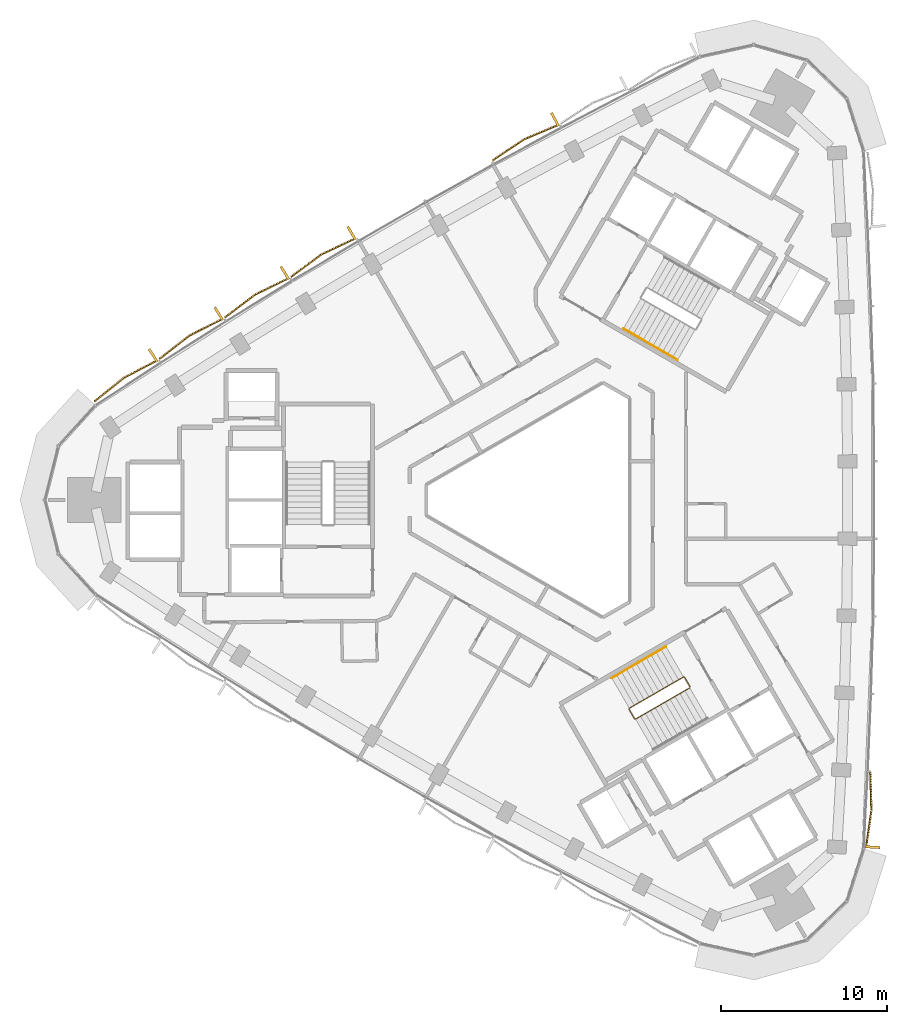
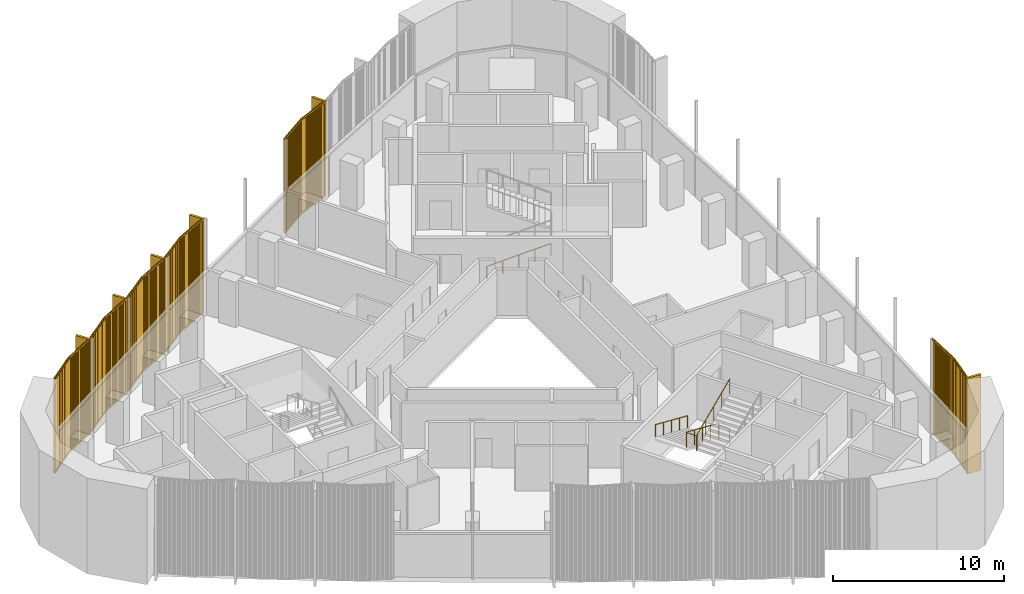
# One storey, part 13 of 14: 6 coverings, 3 railings.
"""IFC4 building model written with IfcOpenShell, lengths in metres."""

import ifcopenshell
import ifcopenshell.guid

model = None  # the IFC model being written
_history = None  # IfcOwnerHistory: only IFC2X3 demands one
_inside = {}  # id of a spatial element -> (the spatial element, [elements in it])
_under = {}  # id of a project, library or spatial element -> (it, [spatial elements below it])
_declared = {}  # id of a project -> (the project, [libraries it declares])
_typed = {}  # id of a type object -> (the type object, [elements of that type])
_made_of = {}  # id of a material, layer set ... -> (it, [elements and type objects made of it])


def new_model(schema):
    """Start an empty IFC model of exactly this schema.

    Asked for "IFC4X3", IfcOpenShell would pick the latest addendum, in which some entities
    have other attributes; the version numbers below select the first issue.
    IFC2X3 requires an IfcOwnerHistory on every rooted entity: one is made here for all.
    """
    global model, _history
    if schema == "IFC4X3":
        model = ifcopenshell.file(schema_version=(4, 3, 0, 0))
    else:
        model = ifcopenshell.file(schema=schema)
    _inside.clear()
    _under.clear()
    _declared.clear()
    _typed.clear()
    _made_of.clear()
    _history = None
    if model.schema == "IFC2X3":
        org = make("IfcOrganization", Name="unknown")
        user = make(
            "IfcPersonAndOrganization",
            ThePerson=make("IfcPerson", FamilyName="unknown"),
            TheOrganization=org,
        )
        app = make(
            "IfcApplication",
            ApplicationDeveloper=org,
            Version="unknown",
            ApplicationFullName="unknown",
            ApplicationIdentifier="unknown",
        )
        _history = make(
            "IfcOwnerHistory",
            OwningUser=user,
            OwningApplication=app,
            ChangeAction="ADDED",
            CreationDate=0,
        )
    return model


def make(cls, **values):
    """One entity of the class cls with the attributes given. An attribute that is None is left unset."""
    return model.create_entity(
        cls, **{name: value for name, value in values.items() if value is not None}
    )


def rooted(cls, **values):
    """An entity with a GlobalId (a new one), such as an element, a storey or a relation."""
    return make(cls, GlobalId=ifcopenshell.guid.new(), OwnerHistory=_history, **values)


def si_unit(unit_type, name, prefix=None):
    """IfcSIUnit, for example si_unit("LENGTHUNIT", "METRE", prefix="MILLI")."""
    return make("IfcSIUnit", UnitType=unit_type, Prefix=prefix, Name=name)


def assignment(units):
    """IfcUnitAssignment: the units of a project."""
    return None if units is None else make("IfcUnitAssignment", Units=units)


def point(xyz):
    """IfcCartesianPoint."""
    return None if xyz is None else make("IfcCartesianPoint", Coordinates=xyz)


def direction(xyz):
    """IfcDirection."""
    return None if xyz is None else make("IfcDirection", DirectionRatios=xyz)


def frame(location, z_axis=None, x_axis=None):
    """IfcAxis2Placement3D, a coordinate frame: its origin and axes. An axis left out is left unset."""
    return make(
        "IfcAxis2Placement3D",
        Location=point(location),
        Axis=direction(z_axis),
        RefDirection=direction(x_axis),
    )


def frame_2d(location, x_axis=None):
    """IfcAxis2Placement2D, a coordinate frame in the plane: its origin and x axis."""
    return make(
        "IfcAxis2Placement2D", Location=point(location), RefDirection=direction(x_axis)
    )


def origin():
    """The frame at (0, 0, 0) with its axes left unset."""
    return frame((0.0, 0.0, 0.0))


def origin_2d():
    """The frame at (0, 0) in the plane with its x axis left unset."""
    return frame_2d((0.0, 0.0))


def place(relative_to, where):
    """IfcLocalPlacement: puts the frame where relative to a parent placement (None: the world)."""
    return make(
        "IfcLocalPlacement", PlacementRelTo=relative_to, RelativePlacement=where
    )


def context(
    kind, dimensions, precision=None, world=None, true_north=None, identifier=None
):
    """IfcGeometricRepresentationContext, for example the 3D "Model" context."""
    return make(
        "IfcGeometricRepresentationContext",
        ContextIdentifier=identifier,
        ContextType=kind,
        CoordinateSpaceDimension=dimensions,
        Precision=precision,
        WorldCoordinateSystem=world,
        TrueNorth=true_north,
    )


def subcontext(parent, identifier, kind, view, scale=None):
    """IfcGeometricRepresentationSubContext, for example "Body" below "Model"."""
    return make(
        "IfcGeometricRepresentationSubContext",
        ContextIdentifier=identifier,
        ContextType=kind,
        ParentContext=parent,
        TargetScale=scale,
        TargetView=view,
    )


def project(units=None, contexts=None):
    """IfcProject with its units and contexts."""
    return rooted(
        "IfcProject",
        Name="project",
        RepresentationContexts=contexts,
        UnitsInContext=assignment(units),
    )


def spatial(cls, under=None, at=None, **own):
    """A site, building, storey or space (cls), placed at a placement, below another one or the project."""
    s = rooted(cls, ObjectPlacement=at, **own)
    if under is not None:
        _under.setdefault(under.id(), (under, []))[1].append(s)
    return s


def profile(cls, at=None, kind="AREA", **sizes):
    """A parametric profile (cls). Its sizes go by their IFC names, for example OverallWidth=200.0."""
    return make(cls, ProfileType=kind, Position=at, **sizes)


def rectangle(**sizes):
    """IfcRectangleProfileDef."""
    return profile("IfcRectangleProfileDef", **sizes)


def circle(**sizes):
    """IfcCircleProfileDef."""
    return profile("IfcCircleProfileDef", **sizes)


def extrude(swept, where, along, depth):
    """IfcExtrudedAreaSolid: the profile swept, set in the frame where, extruded along a direction by depth."""
    return make(
        "IfcExtrudedAreaSolid",
        SweptArea=swept,
        Position=where,
        ExtrudedDirection=direction(along),
        Depth=depth,
    )


def shape(context_of_items, identifier, shape_type, items):
    """IfcShapeRepresentation: the items that make up one representation, for example the "Body"."""
    return make(
        "IfcShapeRepresentation",
        ContextOfItems=context_of_items,
        RepresentationIdentifier=identifier,
        RepresentationType=shape_type,
        Items=items,
    )


def source(mapping_origin, context_of_items, identifier, shape_type, items):
    """IfcRepresentationMap: a shape defined once, which mapped items show again and again."""
    return make(
        "IfcRepresentationMap",
        MappingOrigin=mapping_origin,
        MappedRepresentation=shape(context_of_items, identifier, shape_type, items),
    )


def transform(
    local_origin,
    x_axis=None,
    y_axis=None,
    z_axis=None,
    scale=None,
    scale2=None,
    scale3=None,
    uniform=True,
):
    """IfcCartesianTransformationOperator3D, or its non-uniform kind. x_axis, y_axis, z_axis: its Axis1, 2, 3."""
    if uniform:
        return make(
            "IfcCartesianTransformationOperator3D",
            Axis1=direction(x_axis),
            Axis2=direction(y_axis),
            LocalOrigin=point(local_origin),
            Scale=scale,
            Axis3=direction(z_axis),
        )
    return make(
        "IfcCartesianTransformationOperator3DnonUniform",
        Axis1=direction(x_axis),
        Axis2=direction(y_axis),
        LocalOrigin=point(local_origin),
        Scale=scale,
        Axis3=direction(z_axis),
        Scale2=scale2,
        Scale3=scale3,
    )


def mapped(mapping_source, mapping_target):
    """IfcMappedItem: shows the shape of a source again, moved by a transform."""
    return make(
        "IfcMappedItem", MappingSource=mapping_source, MappingTarget=mapping_target
    )


def material(Name=None, Category=None):
    """IfcMaterial."""
    return make("IfcMaterial", Name=Name, Category=Category)


def made_of(thing, what):
    """Note that an element or type object is made of a material, layer set ...; save() writes the relation."""
    if what is not None:
        _made_of.setdefault(what.id(), (what, []))[1].append(thing)
    return thing


def type_object(cls, material=None, **own):
    """A type object (cls), such as IfcWallType, which elements share."""
    return made_of(rooted(cls, **own), material)


def element(
    cls,
    number,
    at=None,
    inside=None,
    cuts=None,
    type_object=None,
    material=None,
    context=None,
    identifier="Body",
    shape_type=None,
    held_by="IfcProductDefinitionShape",
    body=None,
    shapes=None,
    **own,
):
    """One element of the class cls, such as IfcWall. Its Tag is "e" and its number.

    at: its placement. inside: the storey or other place that contains it. cuts: it is an
    opening in that element (IfcRelVoidsElement). A single representation is given by context,
    identifier, shape_type and body (its items); several are given by shapes. held_by: the class
    of the entity that holds the representations. save() writes the other relations.
    """
    e = rooted(cls, Tag="e%d" % number, ObjectPlacement=at, **own)
    if body is not None:
        shapes = [shape(context, identifier, shape_type, body)]
    if shapes is not None:
        e.Representation = make(held_by, Representations=shapes)
    if inside is not None:
        _inside.setdefault(inside.id(), (inside, []))[1].append(e)
    if cuts is not None:
        rooted(
            "IfcRelVoidsElement", RelatingBuildingElement=cuts, RelatedOpeningElement=e
        )
    if type_object is not None:
        _typed.setdefault(type_object.id(), (type_object, []))[1].append(e)
    return made_of(e, material)


def aggregate(whole, parts):
    """IfcRelAggregates: a whole, such as a stair, and the parts it consists of."""
    return rooted("IfcRelAggregates", RelatingObject=whole, RelatedObjects=parts)


def save(model, path):
    """Write the relations noted so far, then the file.

    IfcRelAggregates (storeys below a building ...), IfcRelContainedInSpatialStructure (elements
    in a storey), IfcRelDefinesByType, IfcRelAssociatesMaterial and IfcRelDeclares: one each for
    every whole, place, type object, material and project.
    """
    for whole, parts in _under.values():
        aggregate(whole, parts)
    for where, things in _inside.values():
        rooted(
            "IfcRelContainedInSpatialStructure",
            RelatedElements=things,
            RelatingStructure=where,
        )
    for kind, things in _typed.values():
        rooted("IfcRelDefinesByType", RelatedObjects=things, RelatingType=kind)
    for what, things in _made_of.values():
        rooted("IfcRelAssociatesMaterial", RelatedObjects=things, RelatingMaterial=what)
    for by, libraries in _declared.values():
        rooted("IfcRelDeclares", RelatingContext=by, RelatedDefinitions=libraries)
    model.write(path)


model = new_model("IFC4")

# Units and contexts
model_context = context("Model", 3, precision=1e-05, world=origin(), true_north=direction((0.0, 1.0)))
body_context = subcontext(model_context, "Body", "Model", "MODEL_VIEW")
ifc_project = project(units=[si_unit("LENGTHUNIT", "METRE"), si_unit("AREAUNIT", "SQUARE_METRE"), si_unit("VOLUMEUNIT", "CUBIC_METRE"), si_unit("PLANEANGLEUNIT", "RADIAN"), si_unit("MASSUNIT", "GRAM", prefix="KILO")], contexts=[model_context])

# Site, building, storey
site_placement = place(None, origin())
site = spatial("IfcSite", under=ifc_project, at=site_placement, CompositionType="ELEMENT")
building_placement = place(site_placement, origin())
building = spatial("IfcBuilding", under=site, at=building_placement, Name="Tamra Quay Hotel Tower", CompositionType="ELEMENT")
storey_placement = place(building_placement, frame((0.0, 0.0, 175.60009765625)))
storey = spatial("IfcBuildingStorey", under=building, at=storey_placement, Name="L43", CompositionType="ELEMENT", Elevation=175.60009765625)

# Railings
ifc_material_1 = material(Name="Stair guard 1100")
railing_type_1 = type_object("IfcRailingType", Name="Stair guard 1100", PredefinedType="GUARDRAIL", material=ifc_material_1)
railing_1_placement = place(storey_placement, frame((8.245849609375, -11.221923828125, 0.0)))
element("IfcRailing", 1, at=railing_1_placement, inside=storey, type_object=railing_type_1, Name="GR", PredefinedType="GUARDRAIL", context=body_context, shape_type="SweptSolid", body=[
    extrude(circle(Radius=0.02392578125, at=origin_2d()), frame((0.0, 0.0, 1.076171875), z_axis=(-0.500043078269, 0.866000531106, 0.0), x_axis=(-0.866000531106, -0.500043078269, 0.0)), (0.0, 0.0, 1.0), 0.6591796875),
    extrude(circle(Radius=0.02392578125, at=origin_2d()), frame((-0.32958984375, 0.57080078125, 1.076171875), z_axis=(-0.41238007866, 0.110458949641, 0.904290601062), x_axis=(-0.258736085224, -0.965948051503, 0.0)), (0.0, 0.0, 1.0), 0.165771484375),
    extrude(circle(Radius=0.02392578125, at=origin_2d()), frame((-0.39794921875, 0.589111328125, 1.22607421875), z_axis=(-0.793100512587, -0.457912285461, 0.401631567183), x_axis=(0.500012686397, -0.866018079166, 0.0)), (0.0, 0.0, 1.0), 4.10791015625),
    extrude(circle(Radius=0.02392578125, at=origin_2d()), frame((-3.656005859375, -1.2919921875, 2.8759765625), z_axis=(-0.256368644879, -0.966579080015, 0.0), x_axis=(0.966579080015, -0.256368644879, 0.0)), (0.0, 0.0, 1.0), 0.070556640625),
    extrude(circle(Radius=0.02392578125, at=origin_2d()), frame((-3.674072265625, -1.360107421875, 2.8759765625), z_axis=(0.499765215335, -0.866160914346, 0.0), x_axis=(0.866160914346, 0.499765215335, 0.0)), (0.0, 0.0, 1.0), 0.658935546875),
    extrude(circle(Radius=0.02392578125, at=origin_2d()), frame((-3.3447265625, -1.930908203125, 2.8759765625), z_axis=(0.411831509231, -0.110312011401, 0.90455849349), x_axis=(0.258736085224, 0.965948051503, 0.0)), (0.0, 0.0, 1.0), 0.166015625),
    extrude(circle(Radius=0.02392578125, at=origin_2d()), frame((-3.2763671875, -1.94921875, 3.02587890625), z_axis=(0.793100512587, 0.457912285461, 0.401631567183), x_axis=(-0.500012686397, 0.866018079166, 0.0)), (0.0, 0.0, 1.0), 4.10791015625),
    extrude(circle(Radius=0.02099609375, at=origin_2d()), origin(), (0.0, 0.0, 1.0), 1.052001953125),
    extrude(circle(Radius=0.02099609375, at=origin_2d()), frame((-0.32958984375, 0.57080078125, 0.0)), (0.0, 0.0, 1.0), 1.052001953125),
    extrude(circle(Radius=0.02099609375, at=origin_2d()), frame((-0.39794921875, 0.589111328125, 0.14990234375)), (0.0, 0.0, 1.0), 1.052001953125),
    extrude(circle(Radius=0.02099609375, at=origin_2d()), frame((-1.21240234375, 0.118896484375, 0.5625)), (0.0, 0.0, 1.0), 1.052001953125),
    extrude(circle(Radius=0.02099609375, at=origin_2d()), frame((-2.02685546875, -0.3515625, 0.974853515625)), (0.0, 0.0, 1.0), 1.052001953125),
    extrude(circle(Radius=0.02099609375, at=origin_2d()), frame((-2.841552734375, -0.82177734375, 1.38720703125)), (0.0, 0.0, 1.0), 1.052001953125),
    extrude(circle(Radius=0.02099609375, at=origin_2d()), frame((-3.656005859375, -1.2919921875, 1.7998046875)), (0.0, 0.0, 1.0), 1.052001953125),
    extrude(circle(Radius=0.02099609375, at=origin_2d()), frame((-3.674072265625, -1.360107421875, 1.7998046875)), (0.0, 0.0, 1.0), 1.052001953125),
    extrude(circle(Radius=0.02099609375, at=origin_2d()), frame((-3.3447265625, -1.930908203125, 1.7998046875)), (0.0, 0.0, 1.0), 1.052001953125),
    extrude(circle(Radius=0.02099609375, at=origin_2d()), frame((-3.2763671875, -1.94921875, 1.949951171875)), (0.0, 0.0, 1.0), 1.052001953125),
    extrude(circle(Radius=0.02099609375, at=origin_2d()), frame((-2.4619140625, -1.47900390625, 2.3623046875)), (0.0, 0.0, 1.0), 1.052001953125),
    extrude(circle(Radius=0.02099609375, at=origin_2d()), frame((-1.6474609375, -1.0087890625, 2.77490234375)), (0.0, 0.0, 1.0), 1.052001953125),
    extrude(circle(Radius=0.02099609375, at=origin_2d()), frame((-0.832763671875, -0.538330078125, 3.1875)), (0.0, 0.0, 1.0), 1.052001953125),
    extrude(circle(Radius=0.02099609375, at=origin_2d()), frame((-0.018310546875, -0.068115234375, 3.599853515625)), (0.0, 0.0, 1.0), 1.052001953125),
])
ifc_material_2 = material(Name="Stair handrail 900")
railing_type_2 = type_object("IfcRailingType", Name="Stair handrail 900", PredefinedType="HANDRAIL", material=ifc_material_2)
railing_2_placement = place(storey_placement, frame((4.234375, 10.294189453125, 0.14990234375)))
element("IfcRailing", 2, at=railing_2_placement, inside=storey, type_object=railing_type_2, Name="HR", PredefinedType="HANDRAIL", context=body_context, shape_type="SweptSolid", body=[
    extrude(circle(Radius=0.02392578125, at=origin_2d()), frame((0.0, 0.0, 0.8759765625), z_axis=(0.793122095483, -0.45786531462, 0.401642496911), x_axis=(0.499964013922, 0.86604617936, 0.0)), (0.0, 0.0, 1.0), 4.10791015625),
    extrude(circle(Radius=0.02099609375, at=origin_2d()), origin(), (0.0, 0.0, 1.0), 0.851806640625),
    extrude(circle(Radius=0.02099609375, at=origin_2d()), frame((0.814453125, -0.47021484375, 0.41259765625)), (0.0, 0.0, 1.0), 0.851806640625),
    extrude(circle(Radius=0.02099609375, at=origin_2d()), frame((1.62890625, -0.9404296875, 0.824951171875)), (0.0, 0.0, 1.0), 0.851806640625),
    extrude(circle(Radius=0.02099609375, at=origin_2d()), frame((2.443603515625, -1.41064453125, 1.2373046875)), (0.0, 0.0, 1.0), 0.851806640625),
    extrude(circle(Radius=0.02099609375, at=origin_2d()), frame((3.258056640625, -1.880859375, 1.64990234375)), (0.0, 0.0, 1.0), 0.851806640625),
])
railing_3_placement = place(storey_placement, frame((6.7978515625, -8.814208984375, 0.14990234375)))
element("IfcRailing", 3, at=railing_3_placement, inside=storey, type_object=railing_type_2, Name="HR", PredefinedType="HANDRAIL", context=body_context, shape_type="SweptSolid", body=[
    extrude(circle(Radius=0.02392578125, at=origin_2d()), frame((0.0, 0.0, 0.8759765625), z_axis=(-0.79310004713, -0.457886897714, 0.401661429744), x_axis=(0.499992114976, -0.866029956157, 0.0)), (0.0, 0.0, 1.0), 4.107666015625),
    extrude(circle(Radius=0.02099609375, at=origin_2d()), origin(), (0.0, 0.0, 1.0), 0.851806640625),
    extrude(circle(Radius=0.02099609375, at=origin_2d()), frame((-0.814453125, -0.47021484375, 0.41259765625)), (0.0, 0.0, 1.0), 0.851806640625),
    extrude(circle(Radius=0.02099609375, at=origin_2d()), frame((-1.62890625, -0.9404296875, 0.824951171875)), (0.0, 0.0, 1.0), 0.851806640625),
    extrude(circle(Radius=0.02099609375, at=origin_2d()), frame((-2.443359375, -1.41064453125, 1.2373046875)), (0.0, 0.0, 1.0), 0.851806640625),
    extrude(circle(Radius=0.02099609375, at=origin_2d()), frame((-3.2578125, -1.880859375, 1.64990234375)), (0.0, 0.0, 1.0), 0.851806640625),
])

# Coverings
ifc_material_3 = material(Name="Terracotta baguette extruded", Category="masonry")
covering_type_1 = type_object("IfcCoveringType", Name="BAGUETTE SCREEN E-V H6850", PredefinedType="USERDEFINED", material=ifc_material_3)
shared_shape_1 = source(origin(), body_context, "Body", "SweptSolid", [
    extrude(rectangle(XDim=2.291259765625, YDim=0.06005859375, at=frame_2d((1.1455078125, 0.030029296875))), frame((-2.287841796875, -0.057861328125, -0.1201171875), z_axis=(0.0, 0.0, 1.0), x_axis=(0.996194698092, -0.087155742748, 0.0)), (0.0, 0.0, 1.0), 0.1201171875),
    extrude(rectangle(XDim=2.291259765625, YDim=0.06005859375, at=frame_2d((1.1455078125, 0.030029296875))), frame((-2.287841796875, -0.057861328125, -6.85009765625), z_axis=(0.0, 0.0, 1.0), x_axis=(0.996194698092, -0.087155742748, 0.0)), (0.0, 0.0, 1.0), 0.1201171875),
    extrude(rectangle(XDim=0.070068359375, YDim=0.10009765625, at=frame_2d((0.03515625, 0.050048828125))), frame((-2.267822265625, -0.13232421875, -6.7900390625)), (0.0, 0.0, 1.0), 6.72998046875),
    extrude(rectangle(XDim=0.070068359375, YDim=0.10009765625, at=frame_2d((0.03515625, 0.050048828125))), frame((-2.168701171875, -0.14111328125, -6.7900390625)), (0.0, 0.0, 1.0), 6.72998046875),
    extrude(rectangle(XDim=0.070068359375, YDim=0.10009765625, at=frame_2d((0.03515625, 0.050048828125))), frame((-2.0693359375, -0.149658203125, -6.7900390625)), (0.0, 0.0, 1.0), 6.72998046875),
    extrude(rectangle(XDim=0.070068359375, YDim=0.10009765625, at=frame_2d((0.03515625, 0.050048828125))), frame((-1.97021484375, -0.158447265625, -6.7900390625)), (0.0, 0.0, 1.0), 6.72998046875),
    extrude(rectangle(XDim=0.070068359375, YDim=0.10009765625, at=frame_2d((0.03515625, 0.050048828125))), frame((-1.870849609375, -0.1669921875, -6.7900390625)), (0.0, 0.0, 1.0), 6.72998046875),
    extrude(rectangle(XDim=0.070068359375, YDim=0.10009765625, at=frame_2d((0.03515625, 0.050048828125))), frame((-1.771728515625, -0.17578125, -6.7900390625)), (0.0, 0.0, 1.0), 6.72998046875),
    extrude(rectangle(XDim=0.070068359375, YDim=0.10009765625, at=frame_2d((0.03515625, 0.050048828125))), frame((-1.67236328125, -0.184326171875, -6.7900390625)), (0.0, 0.0, 1.0), 6.72998046875),
    extrude(rectangle(XDim=0.070068359375, YDim=0.10009765625, at=frame_2d((0.03515625, 0.050048828125))), frame((-1.5732421875, -0.193115234375, -6.7900390625)), (0.0, 0.0, 1.0), 6.72998046875),
    extrude(rectangle(XDim=0.070068359375, YDim=0.10009765625, at=frame_2d((0.03515625, 0.050048828125))), frame((-1.473876953125, -0.201904296875, -6.7900390625)), (0.0, 0.0, 1.0), 6.72998046875),
    extrude(rectangle(XDim=0.070068359375, YDim=0.10009765625, at=frame_2d((0.03515625, 0.050048828125))), frame((-1.374755859375, -0.21044921875, -6.7900390625)), (0.0, 0.0, 1.0), 6.72998046875),
    extrude(rectangle(XDim=0.070068359375, YDim=0.10009765625, at=frame_2d((0.03515625, 0.050048828125))), frame((-1.275390625, -0.21923828125, -6.7900390625)), (0.0, 0.0, 1.0), 6.72998046875),
    extrude(rectangle(XDim=0.070068359375, YDim=0.10009765625, at=frame_2d((0.03515625, 0.050048828125))), frame((-1.17626953125, -0.227783203125, -6.7900390625)), (0.0, 0.0, 1.0), 6.72998046875),
    extrude(rectangle(XDim=0.070068359375, YDim=0.10009765625, at=frame_2d((0.03515625, 0.050048828125))), frame((-1.076904296875, -0.236572265625, -6.7900390625)), (0.0, 0.0, 1.0), 6.72998046875),
    extrude(rectangle(XDim=0.070068359375, YDim=0.10009765625, at=frame_2d((0.03515625, 0.050048828125))), frame((-0.977783203125, -0.2451171875, -6.7900390625)), (0.0, 0.0, 1.0), 6.72998046875),
    extrude(rectangle(XDim=0.070068359375, YDim=0.10009765625, at=frame_2d((0.03515625, 0.050048828125))), frame((-0.87841796875, -0.25390625, -6.7900390625)), (0.0, 0.0, 1.0), 6.72998046875),
    extrude(rectangle(XDim=0.070068359375, YDim=0.10009765625, at=frame_2d((0.03515625, 0.050048828125))), frame((-0.779296875, -0.2626953125, -6.7900390625)), (0.0, 0.0, 1.0), 6.72998046875),
    extrude(rectangle(XDim=0.070068359375, YDim=0.10009765625, at=frame_2d((0.03515625, 0.050048828125))), frame((-0.679931640625, -0.271240234375, -6.7900390625)), (0.0, 0.0, 1.0), 6.72998046875),
    extrude(rectangle(XDim=0.070068359375, YDim=0.10009765625, at=frame_2d((0.03515625, 0.050048828125))), frame((-0.580810546875, -0.280029296875, -6.7900390625)), (0.0, 0.0, 1.0), 6.72998046875),
    extrude(rectangle(XDim=0.070068359375, YDim=0.10009765625, at=frame_2d((0.03515625, 0.050048828125))), frame((-0.481689453125, -0.28857421875, -6.7900390625)), (0.0, 0.0, 1.0), 6.72998046875),
    extrude(rectangle(XDim=0.070068359375, YDim=0.10009765625, at=frame_2d((0.03515625, 0.050048828125))), frame((-0.38232421875, -0.29736328125, -6.7900390625)), (0.0, 0.0, 1.0), 6.72998046875),
    extrude(rectangle(XDim=0.070068359375, YDim=0.10009765625, at=frame_2d((0.03515625, 0.050048828125))), frame((-0.283203125, -0.305908203125, -6.7900390625)), (0.0, 0.0, 1.0), 6.72998046875),
    extrude(rectangle(XDim=0.070068359375, YDim=0.10009765625, at=frame_2d((0.03515625, 0.050048828125))), frame((-0.183837890625, -0.314697265625, -6.7900390625)), (0.0, 0.0, 1.0), 6.72998046875),
    extrude(rectangle(XDim=0.070068359375, YDim=0.10009765625, at=frame_2d((0.03515625, 0.050048828125))), frame((-0.084716796875, -0.3232421875, -6.7900390625)), (0.0, 0.0, 1.0), 6.72998046875),
    extrude(rectangle(XDim=2.291259765625, YDim=0.06005859375, at=frame_2d((1.1455078125, 0.030029296875))), frame((0.005126953125, -0.257568359375, -0.1201171875), z_axis=(0.0, 0.0, 1.0), x_axis=(0.996194698092, 0.087155742748, 0.0)), (0.0, 0.0, 1.0), 0.1201171875),
    extrude(rectangle(XDim=2.291259765625, YDim=0.06005859375, at=frame_2d((1.1455078125, 0.030029296875))), frame((0.005126953125, -0.257568359375, -6.85009765625), z_axis=(0.0, 0.0, 1.0), x_axis=(0.996194698092, 0.087155742748, 0.0)), (0.0, 0.0, 1.0), 0.1201171875),
    extrude(rectangle(XDim=0.070068359375, YDim=0.10009765625, at=frame_2d((0.03515625, 0.050048828125))), frame((0.0146484375, -0.3232421875, -6.7900390625)), (0.0, 0.0, 1.0), 6.72998046875),
    extrude(rectangle(XDim=0.070068359375, YDim=0.10009765625, at=frame_2d((0.03515625, 0.050048828125))), frame((0.11376953125, -0.314697265625, -6.7900390625)), (0.0, 0.0, 1.0), 6.72998046875),
    extrude(rectangle(XDim=0.070068359375, YDim=0.10009765625, at=frame_2d((0.03515625, 0.050048828125))), frame((0.213134765625, -0.305908203125, -6.7900390625)), (0.0, 0.0, 1.0), 6.72998046875),
    extrude(rectangle(XDim=0.070068359375, YDim=0.10009765625, at=frame_2d((0.03515625, 0.050048828125))), frame((0.312255859375, -0.29736328125, -6.7900390625)), (0.0, 0.0, 1.0), 6.72998046875),
    extrude(rectangle(XDim=0.070068359375, YDim=0.10009765625, at=frame_2d((0.03515625, 0.050048828125))), frame((0.41162109375, -0.28857421875, -6.7900390625)), (0.0, 0.0, 1.0), 6.72998046875),
    extrude(rectangle(XDim=0.070068359375, YDim=0.10009765625, at=frame_2d((0.03515625, 0.050048828125))), frame((0.5107421875, -0.280029296875, -6.7900390625)), (0.0, 0.0, 1.0), 6.72998046875),
    extrude(rectangle(XDim=0.070068359375, YDim=0.10009765625, at=frame_2d((0.03515625, 0.050048828125))), frame((0.610107421875, -0.271240234375, -6.7900390625)), (0.0, 0.0, 1.0), 6.72998046875),
    extrude(rectangle(XDim=0.070068359375, YDim=0.10009765625, at=frame_2d((0.03515625, 0.050048828125))), frame((0.709228515625, -0.2626953125, -6.7900390625)), (0.0, 0.0, 1.0), 6.72998046875),
    extrude(rectangle(XDim=0.070068359375, YDim=0.10009765625, at=frame_2d((0.03515625, 0.050048828125))), frame((0.80859375, -0.25390625, -6.7900390625)), (0.0, 0.0, 1.0), 6.72998046875),
    extrude(rectangle(XDim=0.070068359375, YDim=0.10009765625, at=frame_2d((0.03515625, 0.050048828125))), frame((0.90771484375, -0.2451171875, -6.7900390625)), (0.0, 0.0, 1.0), 6.72998046875),
    extrude(rectangle(XDim=0.070068359375, YDim=0.10009765625, at=frame_2d((0.03515625, 0.050048828125))), frame((1.007080078125, -0.236572265625, -6.7900390625)), (0.0, 0.0, 1.0), 6.72998046875),
    extrude(rectangle(XDim=0.070068359375, YDim=0.10009765625, at=frame_2d((0.03515625, 0.050048828125))), frame((1.106201171875, -0.227783203125, -6.7900390625)), (0.0, 0.0, 1.0), 6.72998046875),
    extrude(rectangle(XDim=0.070068359375, YDim=0.10009765625, at=frame_2d((0.03515625, 0.050048828125))), frame((1.20556640625, -0.21923828125, -6.7900390625)), (0.0, 0.0, 1.0), 6.72998046875),
    extrude(rectangle(XDim=0.070068359375, YDim=0.10009765625, at=frame_2d((0.03515625, 0.050048828125))), frame((1.3046875, -0.21044921875, -6.7900390625)), (0.0, 0.0, 1.0), 6.72998046875),
    extrude(rectangle(XDim=0.070068359375, YDim=0.10009765625, at=frame_2d((0.03515625, 0.050048828125))), frame((1.404052734375, -0.201904296875, -6.7900390625)), (0.0, 0.0, 1.0), 6.72998046875),
    extrude(rectangle(XDim=0.070068359375, YDim=0.10009765625, at=frame_2d((0.03515625, 0.050048828125))), frame((1.503173828125, -0.193115234375, -6.7900390625)), (0.0, 0.0, 1.0), 6.72998046875),
    extrude(rectangle(XDim=0.070068359375, YDim=0.10009765625, at=frame_2d((0.03515625, 0.050048828125))), frame((1.6025390625, -0.184326171875, -6.7900390625)), (0.0, 0.0, 1.0), 6.72998046875),
    extrude(rectangle(XDim=0.070068359375, YDim=0.10009765625, at=frame_2d((0.03515625, 0.050048828125))), frame((1.70166015625, -0.17578125, -6.7900390625)), (0.0, 0.0, 1.0), 6.72998046875),
    extrude(rectangle(XDim=0.070068359375, YDim=0.10009765625, at=frame_2d((0.03515625, 0.050048828125))), frame((1.801025390625, -0.1669921875, -6.7900390625)), (0.0, 0.0, 1.0), 6.72998046875),
    extrude(rectangle(XDim=0.070068359375, YDim=0.10009765625, at=frame_2d((0.03515625, 0.050048828125))), frame((1.900146484375, -0.158447265625, -6.7900390625)), (0.0, 0.0, 1.0), 6.72998046875),
    extrude(rectangle(XDim=0.070068359375, YDim=0.10009765625, at=frame_2d((0.03515625, 0.050048828125))), frame((1.99951171875, -0.149658203125, -6.7900390625)), (0.0, 0.0, 1.0), 6.72998046875),
    extrude(rectangle(XDim=0.070068359375, YDim=0.10009765625, at=frame_2d((0.03515625, 0.050048828125))), frame((2.0986328125, -0.14111328125, -6.7900390625)), (0.0, 0.0, 1.0), 6.72998046875),
    extrude(rectangle(XDim=0.070068359375, YDim=0.10009765625, at=frame_2d((0.03515625, 0.050048828125))), frame((2.197998046875, -0.13232421875, -6.7900390625)), (0.0, 0.0, 1.0), 6.72998046875),
    extrude(rectangle(XDim=0.14990234375, YDim=0.902099609375, at=frame_2d((0.074951171875, 0.451171875))), frame((-2.282470703125, -0.89990234375, -6.85009765625)), (0.0, 0.0, 1.0), 6.85009765625),
])
covering_placement = place(storey_placement, frame((18.88232421875, -18.6337890625, 6.849853515625), z_axis=(0.0, 0.0, 1.0), x_axis=(0.055416978175, 0.998463298539, 0.0)))
element("IfcCovering", 4, at=covering_placement, inside=storey, type_object=covering_type_1, Name="Baguette screen L43.E.f00", ObjectType="BAGUETTE SCREEN", PredefinedType="USERDEFINED", context=body_context, shape_type="MappedRepresentation", body=[
    mapped(shared_shape_1, transform((0.0, 0.0, 0.0), scale=1.0)),
])
covering_type_2 = type_object("IfcCoveringType", Name="BAGUETTE SCREEN NW-V H6850", PredefinedType="USERDEFINED", material=ifc_material_3)
shared_shape_2 = source(origin(), body_context, "Body", "SweptSolid", [
    extrude(rectangle(XDim=2.29296875, YDim=0.06005859375, at=frame_2d((1.146484375, 0.030029296875))), frame((-2.288330078125, -0.0576171875, -0.1201171875), z_axis=(0.0, 0.0, 1.0), x_axis=(0.995396198367, -0.09584575252, 0.0)), (0.0, 0.0, 1.0), 0.1201171875),
    extrude(rectangle(XDim=2.29296875, YDim=0.06005859375, at=frame_2d((1.146484375, 0.030029296875))), frame((-2.288330078125, -0.0576171875, -6.85009765625), z_axis=(0.0, 0.0, 1.0), x_axis=(0.995396198367, -0.09584575252, 0.0)), (0.0, 0.0, 1.0), 0.1201171875),
    extrude(rectangle(XDim=0.070068359375, YDim=0.10009765625, at=frame_2d((0.03515625, 0.050048828125))), frame((-2.267822265625, -0.1328125, -6.7900390625)), (0.0, 0.0, 1.0), 6.72998046875),
    extrude(rectangle(XDim=0.070068359375, YDim=0.10009765625, at=frame_2d((0.03515625, 0.050048828125))), frame((-2.168701171875, -0.142333984375, -6.7900390625)), (0.0, 0.0, 1.0), 6.72998046875),
    extrude(rectangle(XDim=0.070068359375, YDim=0.10009765625, at=frame_2d((0.03515625, 0.050048828125))), frame((-2.0693359375, -0.15185546875, -6.7900390625)), (0.0, 0.0, 1.0), 6.72998046875),
    extrude(rectangle(XDim=0.070068359375, YDim=0.10009765625, at=frame_2d((0.03515625, 0.050048828125))), frame((-1.97021484375, -0.161376953125, -6.7900390625)), (0.0, 0.0, 1.0), 6.72998046875),
    extrude(rectangle(XDim=0.070068359375, YDim=0.10009765625, at=frame_2d((0.03515625, 0.050048828125))), frame((-1.870849609375, -0.1708984375, -6.7900390625)), (0.0, 0.0, 1.0), 6.72998046875),
    extrude(rectangle(XDim=0.070068359375, YDim=0.10009765625, at=frame_2d((0.03515625, 0.050048828125))), frame((-1.771728515625, -0.1806640625, -6.7900390625)), (0.0, 0.0, 1.0), 6.72998046875),
    extrude(rectangle(XDim=0.070068359375, YDim=0.10009765625, at=frame_2d((0.03515625, 0.050048828125))), frame((-1.67236328125, -0.190185546875, -6.7900390625)), (0.0, 0.0, 1.0), 6.72998046875),
    extrude(rectangle(XDim=0.070068359375, YDim=0.10009765625, at=frame_2d((0.03515625, 0.050048828125))), frame((-1.5732421875, -0.19970703125, -6.7900390625)), (0.0, 0.0, 1.0), 6.72998046875),
    extrude(rectangle(XDim=0.070068359375, YDim=0.10009765625, at=frame_2d((0.03515625, 0.050048828125))), frame((-1.473876953125, -0.209228515625, -6.7900390625)), (0.0, 0.0, 1.0), 6.72998046875),
    extrude(rectangle(XDim=0.070068359375, YDim=0.10009765625, at=frame_2d((0.03515625, 0.050048828125))), frame((-1.374755859375, -0.21875, -6.7900390625)), (0.0, 0.0, 1.0), 6.72998046875),
    extrude(rectangle(XDim=0.070068359375, YDim=0.10009765625, at=frame_2d((0.03515625, 0.050048828125))), frame((-1.275390625, -0.228271484375, -6.7900390625)), (0.0, 0.0, 1.0), 6.72998046875),
    extrude(rectangle(XDim=0.070068359375, YDim=0.10009765625, at=frame_2d((0.03515625, 0.050048828125))), frame((-1.17626953125, -0.23779296875, -6.7900390625)), (0.0, 0.0, 1.0), 6.72998046875),
    extrude(rectangle(XDim=0.070068359375, YDim=0.10009765625, at=frame_2d((0.03515625, 0.050048828125))), frame((-1.076904296875, -0.24755859375, -6.7900390625)), (0.0, 0.0, 1.0), 6.72998046875),
    extrude(rectangle(XDim=0.070068359375, YDim=0.10009765625, at=frame_2d((0.03515625, 0.050048828125))), frame((-0.977783203125, -0.257080078125, -6.7900390625)), (0.0, 0.0, 1.0), 6.72998046875),
    extrude(rectangle(XDim=0.070068359375, YDim=0.10009765625, at=frame_2d((0.03515625, 0.050048828125))), frame((-0.87841796875, -0.2666015625, -6.7900390625)), (0.0, 0.0, 1.0), 6.72998046875),
    extrude(rectangle(XDim=0.070068359375, YDim=0.10009765625, at=frame_2d((0.03515625, 0.050048828125))), frame((-0.779296875, -0.276123046875, -6.7900390625)), (0.0, 0.0, 1.0), 6.72998046875),
    extrude(rectangle(XDim=0.070068359375, YDim=0.10009765625, at=frame_2d((0.03515625, 0.050048828125))), frame((-0.679931640625, -0.28564453125, -6.7900390625)), (0.0, 0.0, 1.0), 6.72998046875),
    extrude(rectangle(XDim=0.070068359375, YDim=0.10009765625, at=frame_2d((0.03515625, 0.050048828125))), frame((-0.580810546875, -0.295166015625, -6.7900390625)), (0.0, 0.0, 1.0), 6.72998046875),
    extrude(rectangle(XDim=0.070068359375, YDim=0.10009765625, at=frame_2d((0.03515625, 0.050048828125))), frame((-0.481689453125, -0.3046875, -6.7900390625)), (0.0, 0.0, 1.0), 6.72998046875),
    extrude(rectangle(XDim=0.070068359375, YDim=0.10009765625, at=frame_2d((0.03515625, 0.050048828125))), frame((-0.38232421875, -0.314453125, -6.7900390625)), (0.0, 0.0, 1.0), 6.72998046875),
    extrude(rectangle(XDim=0.070068359375, YDim=0.10009765625, at=frame_2d((0.03515625, 0.050048828125))), frame((-0.283203125, -0.323974609375, -6.7900390625)), (0.0, 0.0, 1.0), 6.72998046875),
    extrude(rectangle(XDim=0.070068359375, YDim=0.10009765625, at=frame_2d((0.03515625, 0.050048828125))), frame((-0.183837890625, -0.33349609375, -6.7900390625)), (0.0, 0.0, 1.0), 6.72998046875),
    extrude(rectangle(XDim=0.070068359375, YDim=0.10009765625, at=frame_2d((0.03515625, 0.050048828125))), frame((-0.084716796875, -0.343017578125, -6.7900390625)), (0.0, 0.0, 1.0), 6.72998046875),
    extrude(rectangle(XDim=2.29296875, YDim=0.06005859375, at=frame_2d((1.146484375, 0.030029296875))), frame((0.005859375, -0.277587890625, -0.1201171875), z_axis=(0.0, 0.0, 1.0), x_axis=(0.995396198367, 0.09584575252, 0.0)), (0.0, 0.0, 1.0), 0.1201171875),
    extrude(rectangle(XDim=2.29296875, YDim=0.06005859375, at=frame_2d((1.146484375, 0.030029296875))), frame((0.005859375, -0.277587890625, -6.85009765625), z_axis=(0.0, 0.0, 1.0), x_axis=(0.995396198367, 0.09584575252, 0.0)), (0.0, 0.0, 1.0), 0.1201171875),
    extrude(rectangle(XDim=0.070068359375, YDim=0.10009765625, at=frame_2d((0.03515625, 0.050048828125))), frame((0.0146484375, -0.343017578125, -6.7900390625)), (0.0, 0.0, 1.0), 6.72998046875),
    extrude(rectangle(XDim=0.070068359375, YDim=0.10009765625, at=frame_2d((0.03515625, 0.050048828125))), frame((0.11376953125, -0.33349609375, -6.7900390625)), (0.0, 0.0, 1.0), 6.72998046875),
    extrude(rectangle(XDim=0.070068359375, YDim=0.10009765625, at=frame_2d((0.03515625, 0.050048828125))), frame((0.213134765625, -0.323974609375, -6.7900390625)), (0.0, 0.0, 1.0), 6.72998046875),
    extrude(rectangle(XDim=0.070068359375, YDim=0.10009765625, at=frame_2d((0.03515625, 0.050048828125))), frame((0.312255859375, -0.314453125, -6.7900390625)), (0.0, 0.0, 1.0), 6.72998046875),
    extrude(rectangle(XDim=0.070068359375, YDim=0.10009765625, at=frame_2d((0.03515625, 0.050048828125))), frame((0.41162109375, -0.3046875, -6.7900390625)), (0.0, 0.0, 1.0), 6.72998046875),
    extrude(rectangle(XDim=0.070068359375, YDim=0.10009765625, at=frame_2d((0.03515625, 0.050048828125))), frame((0.5107421875, -0.295166015625, -6.7900390625)), (0.0, 0.0, 1.0), 6.72998046875),
    extrude(rectangle(XDim=0.070068359375, YDim=0.10009765625, at=frame_2d((0.03515625, 0.050048828125))), frame((0.610107421875, -0.28564453125, -6.7900390625)), (0.0, 0.0, 1.0), 6.72998046875),
    extrude(rectangle(XDim=0.070068359375, YDim=0.10009765625, at=frame_2d((0.03515625, 0.050048828125))), frame((0.709228515625, -0.276123046875, -6.7900390625)), (0.0, 0.0, 1.0), 6.72998046875),
    extrude(rectangle(XDim=0.070068359375, YDim=0.10009765625, at=frame_2d((0.03515625, 0.050048828125))), frame((0.80859375, -0.2666015625, -6.7900390625)), (0.0, 0.0, 1.0), 6.72998046875),
    extrude(rectangle(XDim=0.070068359375, YDim=0.10009765625, at=frame_2d((0.03515625, 0.050048828125))), frame((0.90771484375, -0.257080078125, -6.7900390625)), (0.0, 0.0, 1.0), 6.72998046875),
    extrude(rectangle(XDim=0.070068359375, YDim=0.10009765625, at=frame_2d((0.03515625, 0.050048828125))), frame((1.007080078125, -0.24755859375, -6.7900390625)), (0.0, 0.0, 1.0), 6.72998046875),
    extrude(rectangle(XDim=0.070068359375, YDim=0.10009765625, at=frame_2d((0.03515625, 0.050048828125))), frame((1.106201171875, -0.23779296875, -6.7900390625)), (0.0, 0.0, 1.0), 6.72998046875),
    extrude(rectangle(XDim=0.070068359375, YDim=0.10009765625, at=frame_2d((0.03515625, 0.050048828125))), frame((1.20556640625, -0.228271484375, -6.7900390625)), (0.0, 0.0, 1.0), 6.72998046875),
    extrude(rectangle(XDim=0.070068359375, YDim=0.10009765625, at=frame_2d((0.03515625, 0.050048828125))), frame((1.3046875, -0.21875, -6.7900390625)), (0.0, 0.0, 1.0), 6.72998046875),
    extrude(rectangle(XDim=0.070068359375, YDim=0.10009765625, at=frame_2d((0.03515625, 0.050048828125))), frame((1.404052734375, -0.209228515625, -6.7900390625)), (0.0, 0.0, 1.0), 6.72998046875),
    extrude(rectangle(XDim=0.070068359375, YDim=0.10009765625, at=frame_2d((0.03515625, 0.050048828125))), frame((1.503173828125, -0.19970703125, -6.7900390625)), (0.0, 0.0, 1.0), 6.72998046875),
    extrude(rectangle(XDim=0.070068359375, YDim=0.10009765625, at=frame_2d((0.03515625, 0.050048828125))), frame((1.6025390625, -0.190185546875, -6.7900390625)), (0.0, 0.0, 1.0), 6.72998046875),
    extrude(rectangle(XDim=0.070068359375, YDim=0.10009765625, at=frame_2d((0.03515625, 0.050048828125))), frame((1.70166015625, -0.1806640625, -6.7900390625)), (0.0, 0.0, 1.0), 6.72998046875),
    extrude(rectangle(XDim=0.070068359375, YDim=0.10009765625, at=frame_2d((0.03515625, 0.050048828125))), frame((1.801025390625, -0.1708984375, -6.7900390625)), (0.0, 0.0, 1.0), 6.72998046875),
    extrude(rectangle(XDim=0.070068359375, YDim=0.10009765625, at=frame_2d((0.03515625, 0.050048828125))), frame((1.900146484375, -0.161376953125, -6.7900390625)), (0.0, 0.0, 1.0), 6.72998046875),
    extrude(rectangle(XDim=0.070068359375, YDim=0.10009765625, at=frame_2d((0.03515625, 0.050048828125))), frame((1.99951171875, -0.15185546875, -6.7900390625)), (0.0, 0.0, 1.0), 6.72998046875),
    extrude(rectangle(XDim=0.070068359375, YDim=0.10009765625, at=frame_2d((0.03515625, 0.050048828125))), frame((2.0986328125, -0.142333984375, -6.7900390625)), (0.0, 0.0, 1.0), 6.72998046875),
    extrude(rectangle(XDim=0.070068359375, YDim=0.10009765625, at=frame_2d((0.03515625, 0.050048828125))), frame((2.197998046875, -0.1328125, -6.7900390625)), (0.0, 0.0, 1.0), 6.72998046875),
    extrude(rectangle(XDim=0.14990234375, YDim=0.902099609375, at=frame_2d((0.074951171875, 0.451171875))), frame((-2.282470703125, -0.89990234375, -6.85009765625)), (0.0, 0.0, 1.0), 6.85009765625),
])
for number, where, z_axis, x_axis, name in (
    (5, (-1.60595703125, 21.427734375, 6.849853515625), (0.0, 0.0, 1.0), (-0.879568649865, -0.475771993896, 0.0), "Baguette screen L43.NW.f02"),
    (6, (-13.76611328125, 14.519287109375, 6.849853515625), (0.0, 0.0, 1.0), (-0.858998908749, -0.511977416268, 0.0), "Baguette screen L43.NW.f05"),
    (7, (-17.754150390625, 12.104736328125, 6.849853515625), (0.0, 0.0, 1.0), (-0.851814958055, -0.523842798207, 0.0), "Baguette screen L43.NW.f06"),
    (8, (-21.708251953125, 9.63525390625, 6.849853515625), (0.0, 0.0, 1.0), (-0.844475815543, -0.535593686448, 0.0), "Baguette screen L43.NW.f07"),
    (9, (-25.627685546875, 7.111083984375, 6.849853515625), (0.0, 0.0, 1.0), (-0.836986092194, -0.54722416017, 0.0), "Baguette screen L43.NW.f08"),
):
    element("IfcCovering", number, at=place(storey_placement, frame(where, z_axis=z_axis, x_axis=x_axis)), inside=storey, type_object=covering_type_2, Name=name, ObjectType="BAGUETTE SCREEN", PredefinedType="USERDEFINED", context=body_context, shape_type="MappedRepresentation", body=[
        mapped(shared_shape_2, transform((0.0, 0.0, 0.0), scale=1.0)),
    ])

save(model, "model.ifc")
